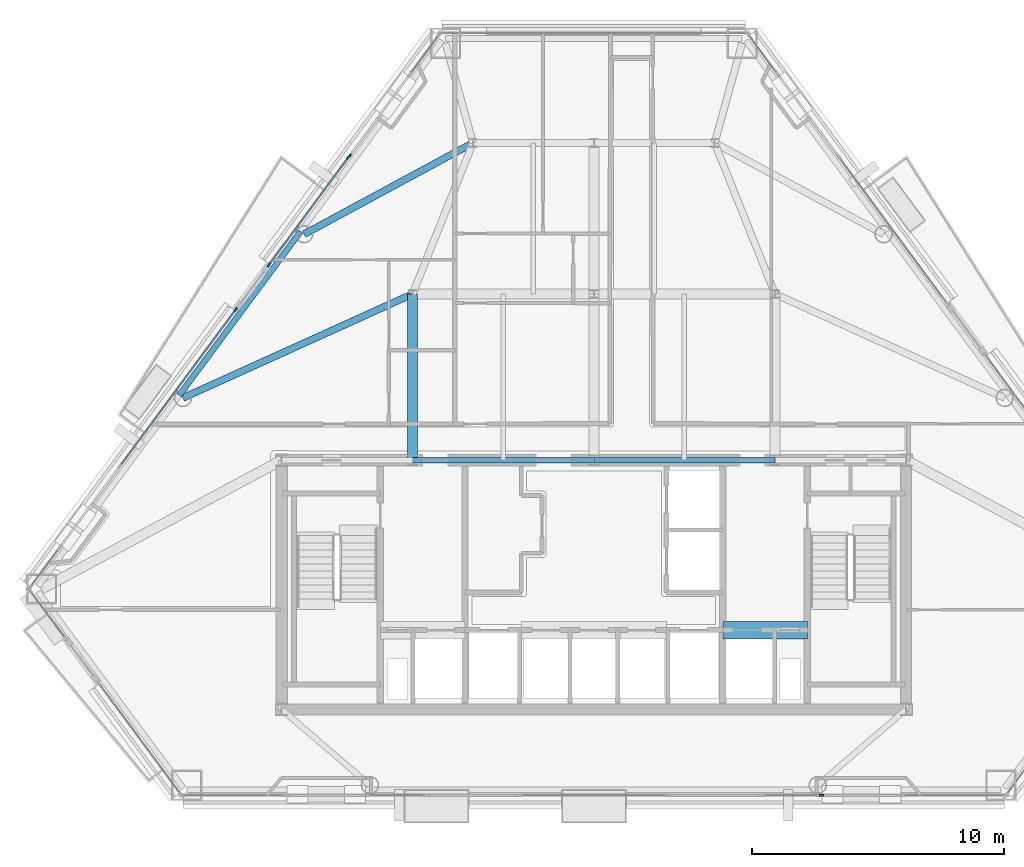
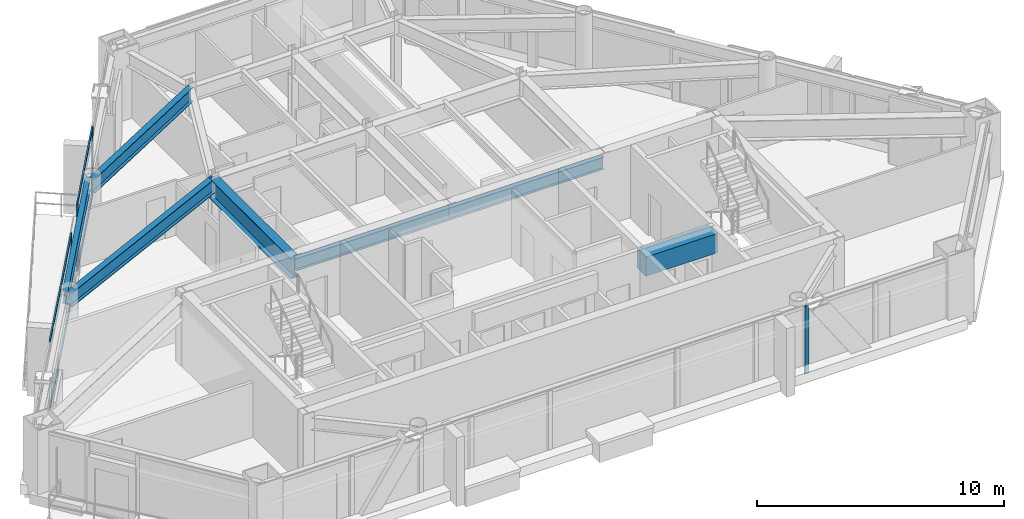
# One storey, part 4 of 13: 9 members, 7 beams, 4 elements without a shape of their own.
"""IFC4 building model written with IfcOpenShell, lengths in metres."""

from ifc_helpers import new_model, si_unit, direction, frame, origin, origin_2d, place, context, subcontext, project, spatial, rectangle, i_section, extrude, material, layer, layer_set, material_profile, profile_set, type_object, element, aggregate, save


model = new_model("IFC4")

# Units and contexts
model_context = context("Model", 3, precision=1e-05, world=origin(), true_north=direction((0.0, 1.0)))
body_context = subcontext(model_context, "Body", "Model", "MODEL_VIEW")
ifc_project = project(units=[si_unit("LENGTHUNIT", "METRE"), si_unit("AREAUNIT", "SQUARE_METRE"), si_unit("VOLUMEUNIT", "CUBIC_METRE"), si_unit("PLANEANGLEUNIT", "RADIAN"), si_unit("MASSUNIT", "GRAM", prefix="KILO")], contexts=[model_context])

# Site, building, storey
site_placement = place(None, origin())
site = spatial("IfcSite", under=ifc_project, at=site_placement, CompositionType="ELEMENT")
building_placement = place(site_placement, origin())
building = spatial("IfcBuilding", under=site, at=building_placement, Name="Talgorran Terracotta Tower", CompositionType="ELEMENT")
storey_placement = place(building_placement, frame((0.0, 0.0, 99.60009765625)))
storey = spatial("IfcBuildingStorey", under=building, at=storey_placement, Name="L25", CompositionType="ELEMENT", Elevation=99.60009765625)

# Beams
ifc_material_1 = material(Name="Steel Grade 350 (350L0)", Category="steel")
ifc_material_profile_1 = material_profile(ifc_material_1, i_section(OverallWidth=0.39990234375, OverallDepth=1.0, WebThickness=0.01611328125, FlangeThickness=0.031005859375, at=origin_2d()), Name="1000WB296")
ifc_profile_set_1 = profile_set([ifc_material_profile_1], Name="Steel Grade 350 (350L0)")
beam_type_1 = type_object("IfcBeamType", Name="BM_1000WB296", PredefinedType="BEAM", material=ifc_profile_set_1)
beam_1_placement = place(storey_placement, frame((-7.199951171875, -4.199951171875, 2.849853515625), z_axis=(0.0, 1.0, 0.0), x_axis=(-1.0, 0.0, 0.0)))
element("IfcBeam", 1, at=beam_1_placement, inside=storey, type_object=beam_type_1, Name="L25 Floor Girder G01", PredefinedType="BEAM", context=body_context, shape_type="SweptSolid", body=[
    extrude(i_section(OverallWidth=0.39990234375, OverallDepth=1.0, WebThickness=0.01611328125, FlangeThickness=0.031005859375, at=origin_2d()), origin(), (0.0, 0.0, 1.0), 6.599853515625),
])
ifc_material_2 = material(Name="Steel S355 (300PLUS)", Category="steel")
ifc_material_profile_2 = material_profile(ifc_material_2, i_section(OverallWidth=0.27490234375, OverallDepth=0.7080078125, WebThickness=0.011962890625, FlangeThickness=0.02490234375, at=origin_2d()), Name="700WB173")
ifc_profile_set_2 = profile_set([ifc_material_profile_2], Name="Steel S355 (300PLUS)")
beam_type_2 = type_object("IfcBeamType", Name="BM_700WB173", PredefinedType="BEAM", material=ifc_profile_set_2)
beam_2_placement = place(storey_placement, frame((-7.199951171875, 2.39990234375, 2.995849609375), z_axis=(-0.910987725051, -0.412433467126, 0.0), x_axis=(0.412433467126, -0.910987725051, 0.0)))
element("IfcBeam", 2, at=beam_2_placement, inside=storey, type_object=beam_type_2, Name="L25 Floor Girder G06", PredefinedType="BEAM", context=body_context, shape_type="SweptSolid", body=[
    extrude(i_section(OverallWidth=0.27490234375, OverallDepth=0.7080078125, WebThickness=0.011962890625, FlangeThickness=0.02490234375, at=origin_2d()), origin(), (0.0, 0.0, 1.0), 10.010009765625),
])
beam_3_placement = place(storey_placement, frame((-4.800048828125, 8.39990234375, 2.995849609375), z_axis=(-0.879686234895, -0.475554548013, 0.0), x_axis=(0.475554548013, -0.879686234895, 0.0)))
element("IfcBeam", 3, at=beam_3_placement, inside=storey, type_object=beam_type_2, Name="L25 Floor Girder G13", PredefinedType="BEAM", context=body_context, shape_type="SweptSolid", body=[
    extrude(i_section(OverallWidth=0.27490234375, OverallDepth=0.7080078125, WebThickness=0.011962890625, FlangeThickness=0.02490234375, at=origin_2d()), origin(), (0.0, 0.0, 1.0), 7.62255859375),
])
ifc_material_3 = material(Name="Concrete C65/80", Category="concrete")
ifc_material_profile_3 = material_profile(ifc_material_3, rectangle(XDim=0.699951171875, YDim=0.949951171875, at=origin_2d()), Name="RCCB700X950")
ifc_profile_set_3 = profile_set([ifc_material_profile_3], Name="Concrete C65/80")
beam_type_3 = type_object("IfcBeamType", Name="BM_CB_700X950", PredefinedType="LINTEL", material=ifc_profile_set_3)
beam_4_placement = place(storey_placement, frame((5.1201171875, -10.949951171875, 2.875), z_axis=(1.0, 0.0, 0.0), x_axis=(0.0, 1.0, 0.0)))
element("IfcBeam", 4, at=beam_4_placement, inside=storey, type_object=beam_type_3, Name="L25 Core Shear-Wall Coupling Beam CB3", PredefinedType="LINTEL", context=body_context, shape_type="SweptSolid", body=[
    extrude(rectangle(XDim=0.699951171875, YDim=0.949951171875, at=origin_2d()), origin(), (0.0, 0.0, 1.0), 3.35986328125),
])
ifc_material_profile_4 = material_profile(ifc_material_2, i_section(OverallWidth=0.22900390625, OverallDepth=0.611572265625, WebThickness=0.011962890625, FlangeThickness=0.01953125, at=origin_2d()), Name="610UB125")
ifc_profile_set_4 = profile_set([ifc_material_profile_4], Name="Steel S355 (300PLUS)")
beam_type_4 = type_object("IfcBeamType", Name="BM_SP_610UB125", PredefinedType="SPANDREL", material=ifc_profile_set_4)
beam_5_placement = place(storey_placement, frame((-11.650146484375, 4.882080078125, 3.044189453125), z_axis=(-0.594899157913, -0.803800343316, 0.0), x_axis=(0.803800343316, -0.594899157913, 0.0)))
element("IfcBeam", 5, at=beam_5_placement, inside=storey, type_object=beam_type_4, Name="L25 Perimeter Spandrel Beam FC5-FC6", PredefinedType="SPANDREL", context=body_context, shape_type="SweptSolid", body=[
    extrude(i_section(OverallWidth=0.22900390625, OverallDepth=0.611572265625, WebThickness=0.011962890625, FlangeThickness=0.01953125, at=origin_2d()), origin(), (0.0, 0.0, 1.0), 8.0908203125),
])
for number, where, z_axis, x_axis, name in (
    (6, (-7.199951171875, -4.199951171875, 3.044189453125), (1.0, 0.0, 0.0), (0.0, 1.0, 0.0), "L25 Core Frame Beam CFN2"),
    (7, (0.0, -4.199951171875, 3.044189453125), (1.0, 0.0, 0.0), (0.0, 1.0, 0.0), "L25 Core Frame Beam CFN3"),
):
    element("IfcBeam", number, at=place(storey_placement, frame(where, z_axis=z_axis, x_axis=x_axis)), inside=storey, type_object=beam_type_4, Name=name, PredefinedType="SPANDREL", context=body_context, shape_type="SweptSolid", body=[
        extrude(i_section(OverallWidth=0.22900390625, OverallDepth=0.611572265625, WebThickness=0.011962890625, FlangeThickness=0.01953125, at=origin_2d()), origin(), (0.0, 0.0, 1.0), 7.199951171875),
    ])

# Curtain wall, member
ifc_material_4 = material(Name="Unitised Low-E Double Glazing", Category="glass")
ifc_layer = layer(ifc_material_4, 0.199951171875, Name="CW_SYS2_RES_LOW")
ifc_layer_set = layer_set([ifc_layer], Name="Unitised Low-E Double Glazing")
curtain_wall_type = type_object("IfcCurtainWallType", Name="CW_SYS2_RES_LOW", PredefinedType="NOTDEFINED", material=ifc_layer_set)
curtain_wall_1_placement = place(storey_placement, origin())
curtain_wall_1 = element("IfcCurtainWall", 8, at=curtain_wall_1_placement, inside=storey, type_object=curtain_wall_type, Name="CW-L25-F1H", PredefinedType="NOTDEFINED")
ifc_material_5 = material(Name="Architectural Aluminium 6063-T6", Category="aluminium")
ifc_material_profile_5 = material_profile(ifc_material_5, rectangle(XDim=0.06494140625, YDim=0.18505859375, at=origin_2d()), Name="CWM65X185")
ifc_profile_set_5 = profile_set([ifc_material_profile_5], Name="Architectural Aluminium 6063-T6")
member_type_1 = type_object("IfcMemberType", Name="MUL_65X185", PredefinedType="MULLION", material=ifc_profile_set_5)
member_1_placement = place(storey_placement, frame((9.046142578125, -17.5078125, 0.0), z_axis=(0.0, 0.0, 1.0), x_axis=(0.0, 1.0, 0.0)))
member_1 = element("IfcMember", 9, at=member_1_placement, type_object=member_type_1, Name="CW-L25-1H mullion 1", PredefinedType="MULLION", context=body_context, shape_type="SweptSolid", body=[
    extrude(rectangle(XDim=0.06494140625, YDim=0.18505859375, at=origin_2d()), origin(), (0.0, 0.0, 1.0), 3.349853515625),
])
aggregate(curtain_wall_1, [member_1])

curtain_wall_2_placement = place(storey_placement, origin())
curtain_wall_2 = element("IfcCurtainWall", 10, at=curtain_wall_2_placement, inside=storey, type_object=curtain_wall_type, Name="CW-L25-F60B", PredefinedType="NOTDEFINED")
member_2_placement = place(storey_placement, frame((-9.703857421875, 7.88134765625, 0.0), z_axis=(0.0, 0.0, 1.0), x_axis=(0.803791980442, -0.594910457276, 0.0)))
member_2 = element("IfcMember", 11, at=member_2_placement, type_object=member_type_1, Name="CW-L25-60B mullion 2", PredefinedType="MULLION", context=body_context, shape_type="SweptSolid", body=[
    extrude(rectangle(XDim=0.06494140625, YDim=0.18505859375, at=origin_2d()), origin(), (0.0, 0.0, 1.0), 3.349853515625),
])
aggregate(curtain_wall_2, [member_2])

# Curtain wall, members
curtain_wall_3_placement = place(storey_placement, origin())
curtain_wall_3 = element("IfcCurtainWall", 12, at=curtain_wall_3_placement, inside=storey, type_object=curtain_wall_type, Name="CW-L25-F60C", PredefinedType="NOTDEFINED")
member_3_placement = place(storey_placement, frame((-9.74853515625, 7.821044921875, 0.0), z_axis=(0.0, 0.0, 1.0), x_axis=(0.803791618413, -0.594910946419, 0.0)))
member_3 = element("IfcMember", 13, at=member_3_placement, type_object=member_type_1, Name="CW-L25-60C mullion 1", PredefinedType="MULLION", context=body_context, shape_type="SweptSolid", body=[
    extrude(rectangle(XDim=0.06494140625, YDim=0.18505859375, at=origin_2d()), origin(), (0.0, 0.0, 1.0), 3.349853515625),
])
member_4_placement = place(storey_placement, frame((-12.90087890625, 3.56201171875, 0.0), z_axis=(0.0, 0.0, 1.0), x_axis=(0.803791618413, -0.594910946419, 0.0)))
member_4 = element("IfcMember", 14, at=member_4_placement, type_object=member_type_1, Name="CW-L25-60C mullion 2", PredefinedType="MULLION", context=body_context, shape_type="SweptSolid", body=[
    extrude(rectangle(XDim=0.06494140625, YDim=0.18505859375, at=origin_2d()), origin(), (0.0, 0.0, 1.0), 3.349853515625),
])

# Curtain wall, member
curtain_wall_4_placement = place(storey_placement, origin())
curtain_wall_4 = element("IfcCurtainWall", 15, at=curtain_wall_4_placement, inside=storey, type_object=curtain_wall_type, Name="CW-L25-F61", PredefinedType="NOTDEFINED")
member_5_placement = place(storey_placement, frame((-14.224609375, 1.7734375, 0.0), z_axis=(0.0, 0.0, 1.0), x_axis=(0.803792121414, -0.594910266807, 0.0)))
member_5 = element("IfcMember", 16, at=member_5_placement, type_object=member_type_1, Name="CW-L25-61 mullion 1", PredefinedType="MULLION", context=body_context, shape_type="SweptSolid", body=[
    extrude(rectangle(XDim=0.06494140625, YDim=0.18505859375, at=origin_2d()), origin(), (0.0, 0.0, 1.0), 3.349853515625),
])

# Member
ifc_material_profile_6 = material_profile(ifc_material_5, rectangle(XDim=0.06494140625, YDim=0.14990234375, at=origin_2d()), Name="CWT65X150")
ifc_profile_set_6 = profile_set([ifc_material_profile_6], Name="Architectural Aluminium 6063-T6")
member_type_2 = type_object("IfcMemberType", Name="TRN_65X150", PredefinedType="USERDEFINED", material=ifc_profile_set_6)
member_6_placement = place(storey_placement, frame((-9.767822265625, 7.794921875, 0.032470703125), z_axis=(-0.59493523442, -0.803773641547, 0.0), x_axis=(0.803773641547, -0.59493523442, 0.0)))
member_6 = element("IfcMember", 17, at=member_6_placement, type_object=member_type_2, Name="CW-L25-60C transom 1.1", ObjectType="TRANSOM", PredefinedType="USERDEFINED", context=body_context, shape_type="SweptSolid", body=[
    extrude(rectangle(XDim=0.06494140625, YDim=0.14990234375, at=origin_2d()), origin(), (0.0, 0.0, 1.0), 5.23388671875),
])

member_7_placement = place(storey_placement, frame((-9.767822265625, 7.794921875, 3.3173828125), z_axis=(-0.59493523442, -0.803773641547, 0.0), x_axis=(0.803773641547, -0.59493523442, 0.0)))
member_7 = element("IfcMember", 18, at=member_7_placement, type_object=member_type_2, Name="CW-L25-60C transom 1.2", ObjectType="TRANSOM", PredefinedType="USERDEFINED", context=body_context, shape_type="SweptSolid", body=[
    extrude(rectangle(XDim=0.06494140625, YDim=0.14990234375, at=origin_2d()), origin(), (0.0, 0.0, 1.0), 5.23388671875),
])

aggregate(curtain_wall_3, [member_3, member_4, member_6, member_7])

member_8_placement = place(storey_placement, frame((-14.243896484375, 1.747314453125, 0.032470703125), z_axis=(-0.594918398417, -0.803786102906, 0.0), x_axis=(0.803786102906, -0.594918398417, 0.0)))
member_8 = element("IfcMember", 19, at=member_8_placement, type_object=member_type_2, Name="CW-L25-61 transom 1.1", ObjectType="TRANSOM", PredefinedType="USERDEFINED", context=body_context, shape_type="SweptSolid", body=[
    extrude(rectangle(XDim=0.06494140625, YDim=0.14990234375, at=origin_2d()), origin(), (0.0, 0.0, 1.0), 7.57421875),
])

member_9_placement = place(storey_placement, frame((-14.243896484375, 1.747314453125, 3.3173828125), z_axis=(-0.594918398417, -0.803786102906, 0.0), x_axis=(0.803786102906, -0.594918398417, 0.0)))
member_9 = element("IfcMember", 20, at=member_9_placement, type_object=member_type_2, Name="CW-L25-61 transom 1.2", ObjectType="TRANSOM", PredefinedType="USERDEFINED", context=body_context, shape_type="SweptSolid", body=[
    extrude(rectangle(XDim=0.06494140625, YDim=0.14990234375, at=origin_2d()), origin(), (0.0, 0.0, 1.0), 7.57421875),
])

aggregate(curtain_wall_4, [member_5, member_8, member_9])

save(model, "model.ifc")
